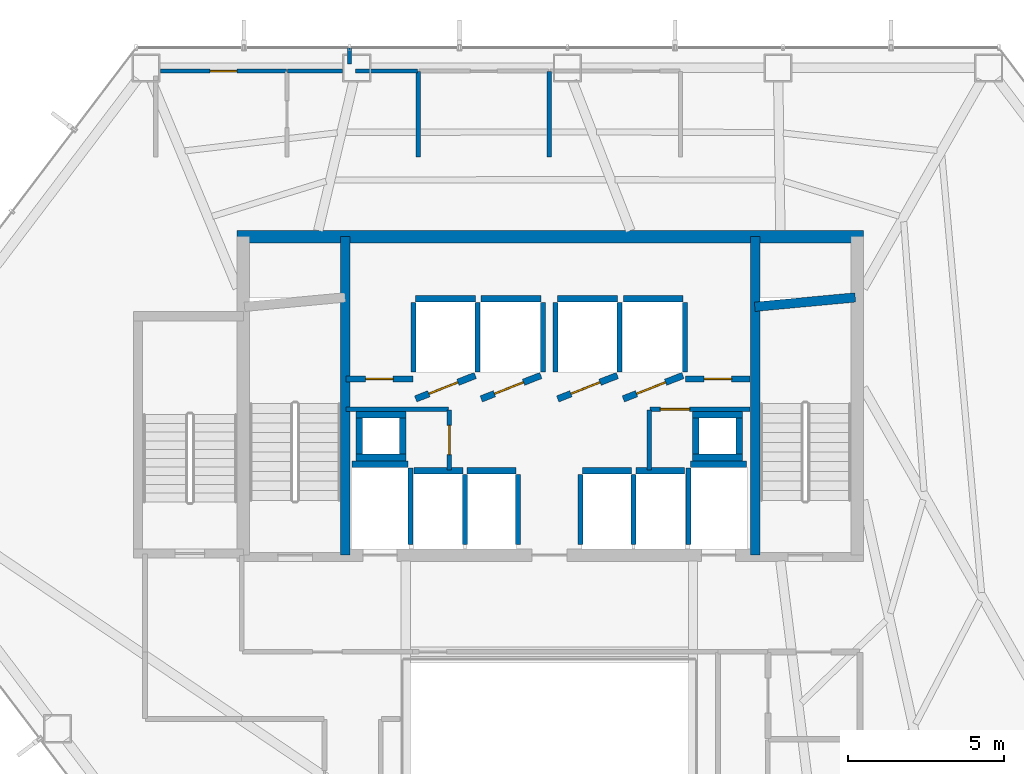
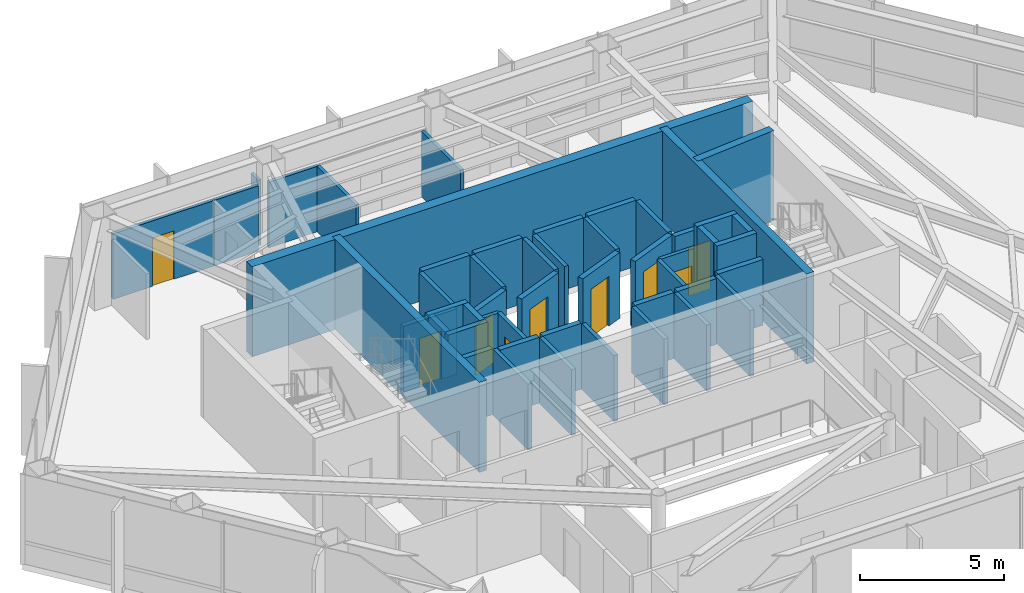
# One storey, part 22 of 24: 50 walls, 9 doors, 9 openings.
"""IFC4 building model written with IfcOpenShell, lengths in metres."""

from ifc_helpers import new_model, si_unit, direction, frame, frame_2d, origin, place, context, subcontext, project, spatial, rectangle, extrude, material, layer, layer_set, type_object, element, fill, save


model = new_model("IFC4")

# Units and contexts
model_context = context("Model", 3, precision=1e-05, world=origin(), true_north=direction((0.0, 1.0)))
body_context = subcontext(model_context, "Body", "Model", "MODEL_VIEW")
ifc_project = project(units=[si_unit("LENGTHUNIT", "METRE"), si_unit("AREAUNIT", "SQUARE_METRE"), si_unit("VOLUMEUNIT", "CUBIC_METRE"), si_unit("PLANEANGLEUNIT", "RADIAN"), si_unit("MASSUNIT", "GRAM", prefix="KILO")], contexts=[model_context])

# Site, building, storey
site_placement = place(None, origin())
site = spatial("IfcSite", under=ifc_project, at=site_placement, CompositionType="ELEMENT")
building_placement = place(site_placement, origin())
building = spatial("IfcBuilding", under=site, at=building_placement, Name="Zarrinselat Tower", CompositionType="ELEMENT")
storey_placement = place(building_placement, frame((0.0, 0.0, 96.89990234375)))
storey = spatial("IfcBuildingStorey", under=building, at=storey_placement, Name="L23", CompositionType="ELEMENT", Elevation=96.89990234375)

# Wall, opening, door
ifc_material_1 = material(Name="Fire-Rated Gypsum Board Partition", Category="gypsum")
ifc_layer_1 = layer(ifc_material_1, 0.14990234375)
ifc_layer_set_1 = layer_set([ifc_layer_1], Name="Fire-Rated Gypsum Board Partition")
wall_type_1 = type_object("IfcWallType", Name="WAL-PART-EI60", PredefinedType="PARTITIONING", material=ifc_layer_set_1)
wall_1_placement = place(storey_placement, frame((35.199951171875, 35.969970703125, 0.0), z_axis=(0.0, 0.0, 1.0), x_axis=(0.0, 1.0, 0.0)))
wall_1 = element("IfcWall", 1, at=wall_1_placement, inside=storey, type_object=wall_type_1, Name="L23 Partition Wall 1", PredefinedType="PARTITIONING", context=body_context, shape_type="SweptSolid", body=[
    extrude(rectangle(XDim=1.929931640625, YDim=0.14990234375, at=frame_2d((0.96484375, 0.0))), origin(), (0.0, 0.0, 1.0), 2.777099609375),
])
opening_1_placement = place(wall_1_placement, frame((0.4951171875, 0.0, 0.0)))
opening_1 = element("IfcOpeningElement", 2, at=opening_1_placement, cuts=wall_1, Name="Opening ID-04", PredefinedType="OPENING", context=body_context, shape_type="SweptSolid", body=[
    extrude(rectangle(XDim=0.93994140625, YDim=2.050048828125, at=frame_2d((0.469970703125, 1.02490234375))), frame((0.0, 0.0849609375, 0.0), z_axis=(0.0, -1.0, 0.0), x_axis=(1.0, 0.0, 0.0)), (0.0, 0.0, 1.0), 0.169921875),
])
ifc_material_2 = material(Name="Fire-Rated Gypsum Board Partition")
door_type_1 = type_object("IfcDoorType", Name="DR-INT-FD30-ENT", OperationType="NOTDEFINED", PredefinedType="DOOR", material=ifc_material_2)
door_1_placement = place(opening_1_placement, origin())
door_1 = element("IfcDoor", 3, at=door_1_placement, inside=storey, type_object=door_type_1, Name="L23 Interior Door P1", OperationType="SINGLE_SWING_RIGHT", OverallHeight=2.050048828125, OverallWidth=0.93994140625, PredefinedType="DOOR", context=body_context, shape_type="SweptSolid", body=[
    extrude(rectangle(XDim=0.93994140625, YDim=2.050048828125, at=frame_2d((0.469970703125, 1.02490234375))), frame((0.0, 0.02490234375, 0.0), z_axis=(0.0, -1.0, 0.0), x_axis=(1.0, 0.0, 0.0)), (0.0, 0.0, 1.0), 0.050048828125),
])
fill(opening_1, door_1)

# Wall
wall_2_placement = place(storey_placement, frame((31.885009765625, 37.919921875, 0.0), z_axis=(0.0, 0.0, 1.0), x_axis=(1.0, 0.0, 0.0)))
element("IfcWall", 4, at=wall_2_placement, inside=storey, type_object=wall_type_1, Name="L23 Partition Wall 2", PredefinedType="PARTITIONING", context=body_context, shape_type="SweptSolid", body=[
    extrude(rectangle(XDim=3.294921875, YDim=0.14990234375, at=frame_2d((1.6474609375, 0.0))), origin(), (0.0, 0.0, 1.0), 2.777099609375),
])

# Wall, opening, door
wall_3_placement = place(storey_placement, frame((41.6201171875, 37.919921875, 0.0), z_axis=(0.0, 0.0, 1.0), x_axis=(1.0, 0.0, 0.0)))
wall_3 = element("IfcWall", 5, at=wall_3_placement, inside=storey, type_object=wall_type_1, Name="L23 Partition Wall 5", PredefinedType="PARTITIONING", context=body_context, shape_type="SweptSolid", body=[
    extrude(rectangle(XDim=3.21484375, YDim=0.14990234375, at=frame_2d((1.607421875, 0.0))), origin(), (0.0, 0.0, 1.0), 2.777099609375),
])
opening_2_placement = place(wall_3_placement, frame((0.33740234375, 0.0, 0.0)))
opening_2 = element("IfcOpeningElement", 6, at=opening_2_placement, cuts=wall_3, Name="Opening ID-04", PredefinedType="OPENING", context=body_context, shape_type="SweptSolid", body=[
    extrude(rectangle(XDim=0.93994140625, YDim=2.050048828125, at=frame_2d((0.469970703125, 1.02490234375))), frame((0.0, 0.0849609375, 0.0), z_axis=(0.0, -1.0, 0.0), x_axis=(1.0, 0.0, 0.0)), (0.0, 0.0, 1.0), 0.169921875),
])
door_2_placement = place(opening_2_placement, origin())
door_2 = element("IfcDoor", 7, at=door_2_placement, inside=storey, type_object=door_type_1, Name="L23 Interior Door P5", OperationType="SINGLE_SWING_LEFT", OverallHeight=2.050048828125, OverallWidth=0.93994140625, PredefinedType="DOOR", context=body_context, shape_type="SweptSolid", body=[
    extrude(rectangle(XDim=0.93994140625, YDim=2.050048828125, at=frame_2d((0.469970703125, 1.02490234375))), frame((0.0, 0.02490234375, 0.0), z_axis=(0.0, -1.0, 0.0), x_axis=(1.0, 0.0, 0.0)), (0.0, 0.0, 1.0), 0.050048828125),
])
fill(opening_2, door_2)

# Wall
wall_4_placement = place(storey_placement, frame((41.60009765625, 35.969970703125, 0.0), z_axis=(0.0, 0.0, 1.0), x_axis=(0.0, 1.0, 0.0)))
element("IfcWall", 8, at=wall_4_placement, inside=storey, type_object=wall_type_1, Name="L23 Partition Wall 6", PredefinedType="PARTITIONING", context=body_context, shape_type="SweptSolid", body=[
    extrude(rectangle(XDim=1.929931640625, YDim=0.14990234375, at=frame_2d((0.96484375, 0.0))), origin(), (0.0, 0.0, 1.0), 2.777099609375),
])

# Wall, opening, door
ifc_material_3 = material(Name="Concrete C40/50", Category="concrete")
ifc_layer_2 = layer(ifc_material_3, 0.199951171875)
ifc_layer_set_2 = layer_set([ifc_layer_2], Name="Concrete C40/50")
wall_type_2 = type_object("IfcWallType", Name="WAL-PART-PLANT", PredefinedType="PARTITIONING", material=ifc_layer_set_2)
wall_5_placement = place(storey_placement, frame((31.885009765625, 38.889892578125, 0.0), z_axis=(0.0, 0.0, 1.0), x_axis=(1.0, 0.0, 0.0)))
wall_5 = element("IfcWall", 9, at=wall_5_placement, inside=storey, type_object=wall_type_2, Name="L23 Partition Wall 3", PredefinedType="PARTITIONING", context=body_context, shape_type="SweptSolid", body=[
    extrude(rectangle(XDim=2.14990234375, YDim=0.199951171875, at=frame_2d((1.074951171875, 0.0))), origin(), (0.0, 0.0, 1.0), 2.777099609375),
])
opening_3_placement = place(wall_5_placement, frame((0.635009765625, 0.0, 0.0)))
opening_3 = element("IfcOpeningElement", 10, at=opening_3_placement, cuts=wall_5, Name="Opening ID-03", PredefinedType="OPENING", context=body_context, shape_type="SweptSolid", body=[
    extrude(rectangle(XDim=0.8798828125, YDim=2.050048828125, at=frame_2d((0.43994140625, 1.02490234375))), frame((0.0, 0.10986328125, 0.0), z_axis=(0.0, -1.0, 0.0), x_axis=(1.0, 0.0, 0.0)), (0.0, 0.0, 1.0), 0.219970703125),
])
ifc_material_4 = material(Name="Steel S355J2", Category="steel")
door_type_2 = type_object("IfcDoorType", Name="DR-INT-FD60-S", OperationType="NOTDEFINED", PredefinedType="DOOR", material=ifc_material_4)
door_3_placement = place(opening_3_placement, origin())
door_3 = element("IfcDoor", 11, at=door_3_placement, inside=storey, type_object=door_type_2, Name="L23 Interior Door P3", OperationType="SINGLE_SWING_LEFT", OverallHeight=2.050048828125, OverallWidth=0.8798828125, PredefinedType="DOOR", context=body_context, shape_type="SweptSolid", body=[
    extrude(rectangle(XDim=0.8798828125, YDim=2.050048828125, at=frame_2d((0.43994140625, 1.02490234375))), frame((0.0, 0.02490234375, 0.0), z_axis=(0.0, -1.0, 0.0), x_axis=(1.0, 0.0, 0.0)), (0.0, 0.0, 1.0), 0.050048828125),
])
fill(opening_3, door_3)

wall_6_placement = place(storey_placement, frame((42.764892578125, 38.889892578125, 0.0), z_axis=(0.0, 0.0, 1.0), x_axis=(1.0, 0.0, 0.0)))
wall_6 = element("IfcWall", 12, at=wall_6_placement, inside=storey, type_object=wall_type_2, Name="L23 Partition Wall 4", PredefinedType="PARTITIONING", context=body_context, shape_type="SweptSolid", body=[
    extrude(rectangle(XDim=2.070068359375, YDim=0.199951171875, at=frame_2d((1.03515625, 0.0))), origin(), (0.0, 0.0, 1.0), 2.777099609375),
])
opening_4_placement = place(wall_6_placement, frame((0.594970703125, 0.0, 0.0)))
opening_4 = element("IfcOpeningElement", 13, at=opening_4_placement, cuts=wall_6, Name="Opening ID-03", PredefinedType="OPENING", context=body_context, shape_type="SweptSolid", body=[
    extrude(rectangle(XDim=0.8798828125, YDim=2.050048828125, at=frame_2d((0.43994140625, 1.02490234375))), frame((0.0, 0.10986328125, 0.0), z_axis=(0.0, -1.0, 0.0), x_axis=(1.0, 0.0, 0.0)), (0.0, 0.0, 1.0), 0.219970703125),
])
door_4_placement = place(opening_4_placement, origin())
door_4 = element("IfcDoor", 14, at=door_4_placement, inside=storey, type_object=door_type_2, Name="L23 Interior Door P4", OperationType="SINGLE_SWING_RIGHT", OverallHeight=2.050048828125, OverallWidth=0.8798828125, PredefinedType="DOOR", context=body_context, shape_type="SweptSolid", body=[
    extrude(rectangle(XDim=0.8798828125, YDim=2.050048828125, at=frame_2d((0.43994140625, 1.02490234375))), frame((0.0, 0.02490234375, 0.0), z_axis=(0.0, -1.0, 0.0), x_axis=(1.0, 0.0, 0.0)), (0.0, 0.0, 1.0), 0.050048828125),
])
fill(opening_4, door_4)

# Wall
ifc_material_5 = material(Name="Fire-Rated Gypsum Board Partition", Category="gypsum")
ifc_layer_3 = layer(ifc_material_5, 0.1201171875)
ifc_layer_set_3 = layer_set([ifc_layer_3], Name="Fire-Rated Gypsum Board Partition")
wall_type_3 = type_object("IfcWallType", Name="WAL-PART-STD", PredefinedType="PARTITIONING", material=ifc_layer_set_3)
wall_7_placement = place(storey_placement, frame((32.0, 48.9765625, 0.0), z_axis=(0.0, 0.0, 1.0), x_axis=(0.0, 1.0, 0.0)))
element("IfcWall", 15, at=wall_7_placement, inside=storey, type_object=wall_type_3, Name="L23 Partition Wall 45", PredefinedType="PARTITIONING", context=body_context, shape_type="SweptSolid", body=[
    extrude(rectangle(XDim=0.508544921875, YDim=0.1201171875, at=frame_2d((0.25439453125, 0.0))), origin(), (0.0, 0.0, 1.0), 2.777099609375),
])

# Wall, opening, door
ifc_material_6 = material(Name="Fire-Rated Gypsum Board Partition", Category="gypsum")
ifc_layer_4 = layer(ifc_material_6, 0.135009765625)
ifc_layer_set_4 = layer_set([ifc_layer_4], Name="Fire-Rated Gypsum Board Partition")
wall_type_4 = type_object("IfcWallType", Name="WAL-PART-WET", PredefinedType="PARTITIONING", material=ifc_layer_set_4)
wall_8_placement = place(storey_placement, frame((25.950927734375, 48.75, 0.0), z_axis=(0.0, 0.0, 1.0), x_axis=(1.0, 0.0, 0.0)))
wall_8 = element("IfcWall", 16, at=wall_8_placement, inside=storey, type_object=wall_type_4, Name="L23 Partition Wall 33", PredefinedType="PARTITIONING", context=body_context, shape_type="SweptSolid", body=[
    extrude(rectangle(XDim=4.029052734375, YDim=0.135009765625, at=frame_2d((2.0146484375, 0.0))), origin(), (0.0, 0.0, 1.0), 2.777099609375),
])
opening_5_placement = place(wall_8_placement, frame((1.58447265625, 0.0, 0.0)))
opening_5 = element("IfcOpeningElement", 17, at=opening_5_placement, cuts=wall_8, Name="Opening ID-06", PredefinedType="OPENING", context=body_context, shape_type="SweptSolid", body=[
    extrude(rectangle(XDim=0.860107421875, YDim=2.050048828125, at=frame_2d((0.43017578125, 1.02490234375))), frame((0.0, 0.077392578125, 0.0), z_axis=(0.0, -1.0, 0.0), x_axis=(1.0, 0.0, 0.0)), (0.0, 0.0, 1.0), 0.155029296875),
])
ifc_material_7 = material(Name="Extruded Aluminium Alloy EN AW-6063 T6", Category="aluminium")
door_type_3 = type_object("IfcDoorType", Name="DR-INT-WET-900", OperationType="NOTDEFINED", PredefinedType="DOOR", material=ifc_material_7)
door_5_placement = place(opening_5_placement, origin())
door_5 = element("IfcDoor", 18, at=door_5_placement, inside=storey, type_object=door_type_3, Name="L23 Interior Door P33", OperationType="SINGLE_SWING_LEFT", OverallHeight=2.050048828125, OverallWidth=0.860107421875, PredefinedType="DOOR", context=body_context, shape_type="SweptSolid", body=[
    extrude(rectangle(XDim=0.860107421875, YDim=2.050048828125, at=frame_2d((0.43017578125, 1.02490234375))), frame((0.0, 0.02490234375, 0.0), z_axis=(0.0, -1.0, 0.0), x_axis=(1.0, 0.0, 0.0)), (0.0, 0.0, 1.0), 0.050048828125),
])
fill(opening_5, door_5)

# Walls
wall_9_placement = place(storey_placement, frame((34.199951171875, 46.0, 0.0), z_axis=(0.0, 0.0, 1.0), x_axis=(0.0, 1.0, 0.0)))
element("IfcWall", 19, at=wall_9_placement, inside=storey, type_object=wall_type_4, Name="L23 Partition Wall 35", PredefinedType="PARTITIONING", context=body_context, shape_type="SweptSolid", body=[
    extrude(rectangle(XDim=2.72998046875, YDim=0.135009765625, at=frame_2d((1.364990234375, 0.0))), origin(), (0.0, 0.0, 1.0), 2.777099609375),
])
wall_10_placement = place(storey_placement, frame((30.02001953125, 48.75, 0.0), z_axis=(0.0, 0.0, 1.0), x_axis=(1.0, 0.0, 0.0)))
element("IfcWall", 20, at=wall_10_placement, inside=storey, type_object=wall_type_4, Name="L23 Partition Wall 36", PredefinedType="PARTITIONING", context=body_context, shape_type="SweptSolid", body=[
    extrude(rectangle(XDim=1.754638671875, YDim=0.135009765625, at=frame_2d((0.87744140625, 0.0))), origin(), (0.0, 0.0, 1.0), 2.777099609375),
])
wall_11_placement = place(storey_placement, frame((32.19775390625, 48.75, 0.0), z_axis=(0.0, 0.0, 1.0), x_axis=(1.0, 0.0, 0.0)))
element("IfcWall", 21, at=wall_11_placement, inside=storey, type_object=wall_type_4, Name="L23 Partition Wall 37", PredefinedType="PARTITIONING", context=body_context, shape_type="SweptSolid", body=[
    extrude(rectangle(XDim=1.982177734375, YDim=0.135009765625, at=frame_2d((0.9912109375, 0.0))), origin(), (0.0, 0.0, 1.0), 2.777099609375),
])
wall_12_placement = place(storey_placement, frame((38.39990234375, 46.0, 0.0), z_axis=(0.0, 0.0, 1.0), x_axis=(0.0, 1.0, 0.0)))
element("IfcWall", 22, at=wall_12_placement, inside=storey, type_object=wall_type_4, Name="L23 Partition Wall 38", PredefinedType="PARTITIONING", context=body_context, shape_type="SweptSolid", body=[
    extrude(rectangle(XDim=2.72998046875, YDim=0.135009765625, at=frame_2d((1.364990234375, 0.0))), origin(), (0.0, 0.0, 1.0), 2.777099609375),
])
ifc_material_8 = material(Name="Concrete C40/50", Category="concrete")
ifc_layer_5 = layer(ifc_material_8, 0.2099609375)
ifc_layer_set_5 = layer_set([ifc_layer_5], Name="Concrete C40/50")
wall_type_5 = type_object("IfcWallType", Name="WAL-SHAFT-210", PredefinedType="SOLIDWALL", material=ifc_layer_set_5)
wall_13_placement = place(storey_placement, frame((32.080078125, 36.155029296875, 0.0), z_axis=(0.0, 0.0, 1.0), x_axis=(1.0, 0.0, 0.0)))
element("IfcWall", 23, at=wall_13_placement, inside=storey, type_object=wall_type_5, Name="L23 Lift FFL1 North Shaft Wall", PredefinedType="SOLIDWALL", context=body_context, shape_type="SweptSolid", body=[
    extrude(rectangle(XDim=1.7998046875, YDim=0.2099609375, at=frame_2d((0.89990234375, 0.0))), origin(), (0.0, 0.0, 1.0), 2.7919921875),
])
wall_14_placement = place(storey_placement, frame((33.949951171875, 33.580078125, 0.0), z_axis=(0.0, 0.0, 1.0), x_axis=(0.0, 1.0, 0.0)))
element("IfcWall", 24, at=wall_14_placement, inside=storey, type_object=wall_type_5, Name="L23 Lift FFL1 E Shaft Wall", PredefinedType="SOLIDWALL", context=body_context, shape_type="SweptSolid", body=[
    extrude(rectangle(XDim=2.449951171875, YDim=0.159912109375, at=frame_2d((1.22509765625, 0.0))), origin(), (0.0, 0.0, 1.0), 2.7919921875),
])
wall_15_placement = place(storey_placement, frame((42.919921875, 36.155029296875, 0.0), z_axis=(0.0, 0.0, 1.0), x_axis=(1.0, 0.0, 0.0)))
element("IfcWall", 25, at=wall_15_placement, inside=storey, type_object=wall_type_5, Name="L23 Lift FFL2 North Shaft Wall", PredefinedType="SOLIDWALL", context=body_context, shape_type="SweptSolid", body=[
    extrude(rectangle(XDim=1.800048828125, YDim=0.2099609375, at=frame_2d((0.89990234375, 0.0))), origin(), (0.0, 0.0, 1.0), 2.7919921875),
])
wall_16_placement = place(storey_placement, frame((42.85009765625, 33.580078125, 0.0), z_axis=(0.0, 0.0, 1.0), x_axis=(0.0, 1.0, 0.0)))
element("IfcWall", 26, at=wall_16_placement, inside=storey, type_object=wall_type_5, Name="L23 Lift FFL2 W Shaft Wall", PredefinedType="SOLIDWALL", context=body_context, shape_type="SweptSolid", body=[
    extrude(rectangle(XDim=2.449951171875, YDim=0.159912109375, at=frame_2d((1.22509765625, 0.0))), origin(), (0.0, 0.0, 1.0), 2.7919921875),
])

# Wall, opening, door
wall_17_placement = place(storey_placement, frame((34.1201171875, 38.25, 0.0), z_axis=(0.0, 0.0, 1.0), x_axis=(0.930804993012, 0.36551616241, 0.0)))
wall_17 = element("IfcWall", 27, at=wall_17_placement, inside=storey, type_object=wall_type_5, Name="L23 Lift PL1 Front Shaft Wall", PredefinedType="SOLIDWALL", context=body_context, shape_type="SweptSolid", body=[
    extrude(rectangle(XDim=2.052001953125, YDim=0.2099609375, at=frame_2d((1.02587890625, 0.0))), origin(), (0.0, 0.0, 1.0), 2.7919921875),
])
opening_6_placement = place(wall_17_placement, frame((0.455078125, 0.0, 0.0)))
opening_6 = element("IfcOpeningElement", 28, at=opening_6_placement, cuts=wall_17, Name="Opening LD-PL1", PredefinedType="OPENING", context=body_context, shape_type="SweptSolid", body=[
    extrude(rectangle(XDim=1.0, YDim=2.10009765625, at=frame_2d((0.5, 1.050048828125))), frame((0.0, 0.114990234375, 0.0), z_axis=(0.0, -1.0, 0.0), x_axis=(1.0, 0.0, 0.0)), (0.0, 0.0, 1.0), 0.22998046875),
])
ifc_material_9 = material(Name="Steel S355J2", Category="steel")
door_type_4 = type_object("IfcDoorType", Name="DR-LIFT-PS-1000", OperationType="NOTDEFINED", PredefinedType="DOOR", material=ifc_material_9)
door_6_placement = place(opening_6_placement, origin())
door_6 = element("IfcDoor", 29, at=door_6_placement, inside=storey, type_object=door_type_4, Name="L23 Lift PL1 Sliding Landing Door", OperationType="SLIDING_TO_LEFT", OverallHeight=2.10009765625, OverallWidth=1.0, PredefinedType="DOOR", context=body_context, shape_type="SweptSolid", body=[
    extrude(rectangle(XDim=1.0, YDim=2.10009765625, at=frame_2d((0.5, 1.050048828125))), frame((0.0, 0.02490234375, 0.0), z_axis=(0.0, -1.0, 0.0), x_axis=(1.0, 0.0, 0.0)), (0.0, 0.0, 1.0), 0.050048828125),
])
fill(opening_6, door_6)

# Walls
wall_18_placement = place(storey_placement, frame((34.1201171875, 41.455078125, 0.0), z_axis=(0.0, 0.0, 1.0), x_axis=(1.0, 0.0, 0.0)))
element("IfcWall", 30, at=wall_18_placement, inside=storey, type_object=wall_type_5, Name="L23 Lift PL1 Rear Shaft Wall", PredefinedType="SOLIDWALL", context=body_context, shape_type="SweptSolid", body=[
    extrude(rectangle(XDim=1.909912109375, YDim=0.2099609375, at=frame_2d((0.955078125, 0.0))), origin(), (0.0, 0.0, 1.0), 2.7919921875),
])
for number, where, z_axis, x_axis, name in (
    (31, (34.050048828125, 39.1201171875, 0.0), (0.0, 0.0, 1.0), (0.0, 1.0, 0.0), "L23 Lift PL1 W Shaft Wall"),
    (32, (36.10009765625, 39.1201171875, 0.0), (0.0, 0.0, 1.0), (0.0, 1.0, 0.0), "L23 Lift PL1 E Shaft Wall"),
):
    element("IfcWall", number, at=place(storey_placement, frame(where, z_axis=z_axis, x_axis=x_axis)), inside=storey, type_object=wall_type_5, Name=name, PredefinedType="SOLIDWALL", context=body_context, shape_type="SweptSolid", body=[
        extrude(rectangle(XDim=2.2099609375, YDim=0.159912109375, at=frame_2d((1.10498046875, 0.0))), origin(), (0.0, 0.0, 1.0), 2.7919921875),
    ])

# Wall, opening, door
wall_19_placement = place(storey_placement, frame((36.219970703125, 38.25, 0.0), z_axis=(0.0, 0.0, 1.0), x_axis=(0.930804993012, 0.36551616241, 0.0)))
wall_19 = element("IfcWall", 33, at=wall_19_placement, inside=storey, type_object=wall_type_5, Name="L23 Lift PL2 Front Shaft Wall", PredefinedType="SOLIDWALL", context=body_context, shape_type="SweptSolid", body=[
    extrude(rectangle(XDim=2.052001953125, YDim=0.2099609375, at=frame_2d((1.02587890625, 0.0))), origin(), (0.0, 0.0, 1.0), 2.7919921875),
])
opening_7_placement = place(wall_19_placement, frame((0.455078125, 0.0, 0.0)))
opening_7 = element("IfcOpeningElement", 34, at=opening_7_placement, cuts=wall_19, Name="Opening LD-PL2", PredefinedType="OPENING", context=body_context, shape_type="SweptSolid", body=[
    extrude(rectangle(XDim=1.0, YDim=2.10009765625, at=frame_2d((0.5, 1.050048828125))), frame((0.0, 0.114990234375, 0.0), z_axis=(0.0, -1.0, 0.0), x_axis=(1.0, 0.0, 0.0)), (0.0, 0.0, 1.0), 0.22998046875),
])
door_7_placement = place(opening_7_placement, origin())
door_7 = element("IfcDoor", 35, at=door_7_placement, inside=storey, type_object=door_type_4, Name="L23 Lift PL2 Sliding Landing Door", OperationType="SLIDING_TO_RIGHT", OverallHeight=2.10009765625, OverallWidth=1.0, PredefinedType="DOOR", context=body_context, shape_type="SweptSolid", body=[
    extrude(rectangle(XDim=1.0, YDim=2.10009765625, at=frame_2d((0.5, 1.050048828125))), frame((0.0, 0.02490234375, 0.0), z_axis=(0.0, -1.0, 0.0), x_axis=(1.0, 0.0, 0.0)), (0.0, 0.0, 1.0), 0.050048828125),
])
fill(opening_7, door_7)

# Walls
wall_20_placement = place(storey_placement, frame((36.219970703125, 41.455078125, 0.0), z_axis=(0.0, 0.0, 1.0), x_axis=(1.0, 0.0, 0.0)))
element("IfcWall", 36, at=wall_20_placement, inside=storey, type_object=wall_type_5, Name="L23 Lift PL2 Rear Shaft Wall", PredefinedType="SOLIDWALL", context=body_context, shape_type="SweptSolid", body=[
    extrude(rectangle(XDim=1.909912109375, YDim=0.2099609375, at=frame_2d((0.955078125, 0.0))), origin(), (0.0, 0.0, 1.0), 2.7919921875),
])
wall_21_placement = place(storey_placement, frame((38.199951171875, 39.1201171875, 0.0), z_axis=(0.0, 0.0, 1.0), x_axis=(0.0, 1.0, 0.0)))
element("IfcWall", 37, at=wall_21_placement, inside=storey, type_object=wall_type_5, Name="L23 Lift PL2 E Shaft Wall", PredefinedType="SOLIDWALL", context=body_context, shape_type="SweptSolid", body=[
    extrude(rectangle(XDim=2.2099609375, YDim=0.159912109375, at=frame_2d((1.10498046875, 0.0))), origin(), (0.0, 0.0, 1.0), 2.7919921875),
])

# Wall, opening, door
wall_22_placement = place(storey_placement, frame((38.669921875, 38.25, 0.0), z_axis=(0.0, 0.0, 1.0), x_axis=(0.930820886763, 0.3654756856, 0.0)))
wall_22 = element("IfcWall", 38, at=wall_22_placement, inside=storey, type_object=wall_type_5, Name="L23 Lift PL3 Front Shaft Wall", PredefinedType="SOLIDWALL", context=body_context, shape_type="SweptSolid", body=[
    extrude(rectangle(XDim=2.052001953125, YDim=0.2099609375, at=frame_2d((1.02587890625, 0.0))), origin(), (0.0, 0.0, 1.0), 2.7919921875),
])
opening_8_placement = place(wall_22_placement, frame((0.455078125, 0.0, 0.0)))
opening_8 = element("IfcOpeningElement", 39, at=opening_8_placement, cuts=wall_22, Name="Opening LD-PL3", PredefinedType="OPENING", context=body_context, shape_type="SweptSolid", body=[
    extrude(rectangle(XDim=1.0, YDim=2.10009765625, at=frame_2d((0.5, 1.050048828125))), frame((0.0, 0.114990234375, 0.0), z_axis=(0.0, -1.0, 0.0), x_axis=(1.0, 0.0, 0.0)), (0.0, 0.0, 1.0), 0.22998046875),
])
door_8_placement = place(opening_8_placement, origin())
door_8 = element("IfcDoor", 40, at=door_8_placement, inside=storey, type_object=door_type_4, Name="L23 Lift PL3 Sliding Landing Door", OperationType="SLIDING_TO_LEFT", OverallHeight=2.10009765625, OverallWidth=1.0, PredefinedType="DOOR", context=body_context, shape_type="SweptSolid", body=[
    extrude(rectangle(XDim=1.0, YDim=2.10009765625, at=frame_2d((0.5, 1.050048828125))), frame((0.0, 0.02490234375, 0.0), z_axis=(0.0, -1.0, 0.0), x_axis=(1.0, 0.0, 0.0)), (0.0, 0.0, 1.0), 0.050048828125),
])
fill(opening_8, door_8)

# Walls
wall_23_placement = place(storey_placement, frame((38.669921875, 41.455078125, 0.0), z_axis=(0.0, 0.0, 1.0), x_axis=(1.0, 0.0, 0.0)))
element("IfcWall", 41, at=wall_23_placement, inside=storey, type_object=wall_type_5, Name="L23 Lift PL3 Rear Shaft Wall", PredefinedType="SOLIDWALL", context=body_context, shape_type="SweptSolid", body=[
    extrude(rectangle(XDim=1.91015625, YDim=0.2099609375, at=frame_2d((0.955078125, 0.0))), origin(), (0.0, 0.0, 1.0), 2.7919921875),
])
for number, where, z_axis, x_axis, name in (
    (42, (38.60009765625, 39.1201171875, 0.0), (0.0, 0.0, 1.0), (0.0, 1.0, 0.0), "L23 Lift PL3 W Shaft Wall"),
    (43, (40.64990234375, 39.1201171875, 0.0), (0.0, 0.0, 1.0), (0.0, 1.0, 0.0), "L23 Lift PL3 E Shaft Wall"),
):
    element("IfcWall", number, at=place(storey_placement, frame(where, z_axis=z_axis, x_axis=x_axis)), inside=storey, type_object=wall_type_5, Name=name, PredefinedType="SOLIDWALL", context=body_context, shape_type="SweptSolid", body=[
        extrude(rectangle(XDim=2.2099609375, YDim=0.159912109375, at=frame_2d((1.10498046875, 0.0))), origin(), (0.0, 0.0, 1.0), 2.7919921875),
    ])

# Wall, opening, door
wall_24_placement = place(storey_placement, frame((40.77001953125, 38.25, 0.0), z_axis=(0.0, 0.0, 1.0), x_axis=(0.930804993012, 0.36551616241, 0.0)))
wall_24 = element("IfcWall", 44, at=wall_24_placement, inside=storey, type_object=wall_type_5, Name="L23 Lift PL4 Front Shaft Wall", PredefinedType="SOLIDWALL", context=body_context, shape_type="SweptSolid", body=[
    extrude(rectangle(XDim=2.052001953125, YDim=0.2099609375, at=frame_2d((1.02587890625, 0.0))), origin(), (0.0, 0.0, 1.0), 2.7919921875),
])
opening_9_placement = place(wall_24_placement, frame((0.455078125, 0.0, 0.0)))
opening_9 = element("IfcOpeningElement", 45, at=opening_9_placement, cuts=wall_24, Name="Opening LD-PL4", PredefinedType="OPENING", context=body_context, shape_type="SweptSolid", body=[
    extrude(rectangle(XDim=1.0, YDim=2.10009765625, at=frame_2d((0.5, 1.050048828125))), frame((0.0, 0.114990234375, 0.0), z_axis=(0.0, -1.0, 0.0), x_axis=(1.0, 0.0, 0.0)), (0.0, 0.0, 1.0), 0.22998046875),
])
door_9_placement = place(opening_9_placement, origin())
door_9 = element("IfcDoor", 46, at=door_9_placement, inside=storey, type_object=door_type_4, Name="L23 Lift PL4 Sliding Landing Door", OperationType="SLIDING_TO_RIGHT", OverallHeight=2.10009765625, OverallWidth=1.0, PredefinedType="DOOR", context=body_context, shape_type="SweptSolid", body=[
    extrude(rectangle(XDim=1.0, YDim=2.10009765625, at=frame_2d((0.5, 1.050048828125))), frame((0.0, 0.02490234375, 0.0), z_axis=(0.0, -1.0, 0.0), x_axis=(1.0, 0.0, 0.0)), (0.0, 0.0, 1.0), 0.050048828125),
])
fill(opening_9, door_9)

# Walls
wall_25_placement = place(storey_placement, frame((40.77001953125, 41.455078125, 0.0), z_axis=(0.0, 0.0, 1.0), x_axis=(1.0, 0.0, 0.0)))
element("IfcWall", 47, at=wall_25_placement, inside=storey, type_object=wall_type_5, Name="L23 Lift PL4 Rear Shaft Wall", PredefinedType="SOLIDWALL", context=body_context, shape_type="SweptSolid", body=[
    extrude(rectangle(XDim=1.909912109375, YDim=0.2099609375, at=frame_2d((0.955078125, 0.0))), origin(), (0.0, 0.0, 1.0), 2.7919921875),
])
wall_26_placement = place(storey_placement, frame((42.75, 39.1201171875, 0.0), z_axis=(0.0, 0.0, 1.0), x_axis=(0.0, 1.0, 0.0)))
element("IfcWall", 48, at=wall_26_placement, inside=storey, type_object=wall_type_5, Name="L23 Lift PL4 E Shaft Wall", PredefinedType="SOLIDWALL", context=body_context, shape_type="SweptSolid", body=[
    extrude(rectangle(XDim=2.2099609375, YDim=0.159912109375, at=frame_2d((1.10498046875, 0.0))), origin(), (0.0, 0.0, 1.0), 2.7919921875),
])
wall_27_placement = place(storey_placement, frame((34.070068359375, 35.955078125, 0.0), z_axis=(0.0, 0.0, 1.0), x_axis=(1.0, 0.0, 0.0)))
element("IfcWall", 49, at=wall_27_placement, inside=storey, type_object=wall_type_5, Name="L23 Lift PL5 North Shaft Wall", PredefinedType="SOLIDWALL", context=body_context, shape_type="SweptSolid", body=[
    extrude(rectangle(XDim=1.559814453125, YDim=0.2099609375, at=frame_2d((0.77978515625, 0.0))), origin(), (0.0, 0.0, 1.0), 2.7919921875),
])
wall_28_placement = place(storey_placement, frame((35.699951171875, 33.580078125, 0.0), z_axis=(0.0, 0.0, 1.0), x_axis=(0.0, 1.0, 0.0)))
element("IfcWall", 50, at=wall_28_placement, inside=storey, type_object=wall_type_5, Name="L23 Lift PL5 E Shaft Wall", PredefinedType="SOLIDWALL", context=body_context, shape_type="SweptSolid", body=[
    extrude(rectangle(XDim=2.25, YDim=0.159912109375, at=frame_2d((1.125, 0.0))), origin(), (0.0, 0.0, 1.0), 2.7919921875),
])
wall_29_placement = place(storey_placement, frame((35.77001953125, 35.955078125, 0.0), z_axis=(0.0, 0.0, 1.0), x_axis=(1.0, 0.0, 0.0)))
element("IfcWall", 51, at=wall_29_placement, inside=storey, type_object=wall_type_5, Name="L23 Lift PL6 North Shaft Wall", PredefinedType="SOLIDWALL", context=body_context, shape_type="SweptSolid", body=[
    extrude(rectangle(XDim=1.56005859375, YDim=0.2099609375, at=frame_2d((0.780029296875, 0.0))), origin(), (0.0, 0.0, 1.0), 2.7919921875),
])
wall_30_placement = place(storey_placement, frame((37.39990234375, 33.580078125, 0.0), z_axis=(0.0, 0.0, 1.0), x_axis=(0.0, 1.0, 0.0)))
element("IfcWall", 52, at=wall_30_placement, inside=storey, type_object=wall_type_5, Name="L23 Lift PL6 E Shaft Wall", PredefinedType="SOLIDWALL", context=body_context, shape_type="SweptSolid", body=[
    extrude(rectangle(XDim=2.25, YDim=0.159912109375, at=frame_2d((1.125, 0.0))), origin(), (0.0, 0.0, 1.0), 2.7919921875),
])
wall_31_placement = place(storey_placement, frame((39.469970703125, 35.955078125, 0.0), z_axis=(0.0, 0.0, 1.0), x_axis=(1.0, 0.0, 0.0)))
element("IfcWall", 53, at=wall_31_placement, inside=storey, type_object=wall_type_5, Name="L23 Lift PL8 North Shaft Wall", PredefinedType="SOLIDWALL", context=body_context, shape_type="SweptSolid", body=[
    extrude(rectangle(XDim=1.56005859375, YDim=0.2099609375, at=frame_2d((0.780029296875, 0.0))), origin(), (0.0, 0.0, 1.0), 2.7919921875),
])
for number, where, z_axis, x_axis, name in (
    (54, (39.39990234375, 33.580078125, 0.0), (0.0, 0.0, 1.0), (0.0, 1.0, 0.0), "L23 Lift PL8 W Shaft Wall"),
    (55, (41.10009765625, 33.580078125, 0.0), (0.0, 0.0, 1.0), (0.0, 1.0, 0.0), "L23 Lift PL8 E Shaft Wall"),
):
    element("IfcWall", number, at=place(storey_placement, frame(where, z_axis=z_axis, x_axis=x_axis)), inside=storey, type_object=wall_type_5, Name=name, PredefinedType="SOLIDWALL", context=body_context, shape_type="SweptSolid", body=[
        extrude(rectangle(XDim=2.25, YDim=0.159912109375, at=frame_2d((1.125, 0.0))), origin(), (0.0, 0.0, 1.0), 2.7919921875),
    ])
wall_32_placement = place(storey_placement, frame((41.169921875, 35.955078125, 0.0), z_axis=(0.0, 0.0, 1.0), x_axis=(1.0, 0.0, 0.0)))
element("IfcWall", 56, at=wall_32_placement, inside=storey, type_object=wall_type_5, Name="L23 Lift PL9 North Shaft Wall", PredefinedType="SOLIDWALL", context=body_context, shape_type="SweptSolid", body=[
    extrude(rectangle(XDim=1.56005859375, YDim=0.2099609375, at=frame_2d((0.780029296875, 0.0))), origin(), (0.0, 0.0, 1.0), 2.7919921875),
])
for number, where, z_axis, x_axis, name in (
    (57, (32.2099609375, 36.375, 0.0), (0.0, 0.0, 1.0), (1.0, 0.0, 0.0), "L23 Core Riser RSR-W S Shaft Wall"),
    (58, (32.2099609375, 37.7451171875, 0.0), (0.0, 0.0, 1.0), (1.0, 0.0, 0.0), "L23 Core Riser RSR-W N Shaft Wall"),
):
    element("IfcWall", number, at=place(storey_placement, frame(where, z_axis=z_axis, x_axis=x_axis)), inside=storey, type_object=wall_type_5, Name=name, PredefinedType="SOLIDWALL", context=body_context, shape_type="SweptSolid", body=[
        extrude(rectangle(XDim=1.60009765625, YDim=0.2099609375, at=frame_2d((0.800048828125, 0.0))), origin(), (0.0, 0.0, 1.0), 3.820068359375),
    ])
for number, where, z_axis, x_axis, name in (
    (59, (32.31494140625, 36.485107421875, 0.0), (0.0, 0.0, 1.0), (0.0, 1.0, 0.0), "L23 Core Riser RSR-W W Shaft Wall"),
    (60, (33.705078125, 36.485107421875, 0.0), (0.0, 0.0, 1.0), (0.0, 1.0, 0.0), "L23 Core Riser RSR-W E Shaft Wall"),
):
    element("IfcWall", number, at=place(storey_placement, frame(where, z_axis=z_axis, x_axis=x_axis)), inside=storey, type_object=wall_type_5, Name=name, PredefinedType="SOLIDWALL", context=body_context, shape_type="SweptSolid", body=[
        extrude(rectangle(XDim=1.14990234375, YDim=0.2099609375, at=frame_2d((0.574951171875, 0.0))), origin(), (0.0, 0.0, 1.0), 3.820068359375),
    ])
for number, where, z_axis, x_axis, name in (
    (61, (42.989990234375, 36.375, 0.0), (0.0, 0.0, 1.0), (1.0, 0.0, 0.0), "L23 Core Riser RSR-E S Shaft Wall"),
    (62, (42.989990234375, 37.7451171875, 0.0), (0.0, 0.0, 1.0), (1.0, 0.0, 0.0), "L23 Core Riser RSR-E N Shaft Wall"),
):
    element("IfcWall", number, at=place(storey_placement, frame(where, z_axis=z_axis, x_axis=x_axis)), inside=storey, type_object=wall_type_5, Name=name, PredefinedType="SOLIDWALL", context=body_context, shape_type="SweptSolid", body=[
        extrude(rectangle(XDim=1.60009765625, YDim=0.2099609375, at=frame_2d((0.800048828125, 0.0))), origin(), (0.0, 0.0, 1.0), 3.820068359375),
    ])
for number, where, z_axis, x_axis, name in (
    (63, (43.094970703125, 36.485107421875, 0.0), (0.0, 0.0, 1.0), (0.0, 1.0, 0.0), "L23 Core Riser RSR-E W Shaft Wall"),
    (64, (44.485107421875, 36.485107421875, 0.0), (0.0, 0.0, 1.0), (0.0, 1.0, 0.0), "L23 Core Riser RSR-E E Shaft Wall"),
):
    element("IfcWall", number, at=place(storey_placement, frame(where, z_axis=z_axis, x_axis=x_axis)), inside=storey, type_object=wall_type_5, Name=name, PredefinedType="SOLIDWALL", context=body_context, shape_type="SweptSolid", body=[
        extrude(rectangle(XDim=1.14990234375, YDim=0.2099609375, at=frame_2d((0.574951171875, 0.0))), origin(), (0.0, 0.0, 1.0), 3.820068359375),
    ])
ifc_material_10 = material(Name="Concrete C40/50", Category="concrete")
ifc_layer_6 = layer(ifc_material_10, 0.300048828125)
ifc_layer_set_6 = layer_set([ifc_layer_6], Name="Concrete C40/50")
wall_type_6 = type_object("IfcWallType", Name="WAL-SHEAR-300", PredefinedType="SHEAR", material=ifc_layer_set_6)
for number, where, z_axis, x_axis, name in (
    (65, (31.8701171875, 33.25, 0.0), (0.0, 0.0, 1.0), (0.0, 1.0, 0.0), "L23 Core Shear Wall ST1E"),
    (66, (44.989990234375, 33.25, 0.0), (0.0, 0.0, 1.0), (0.0, 1.0, 0.0), "L23 Core Shear Wall ST2W"),
):
    element("IfcWall", number, at=place(storey_placement, frame(where, z_axis=z_axis, x_axis=x_axis)), inside=storey, type_object=wall_type_6, Name=name, PredefinedType="SHEAR", context=body_context, shape_type="SweptSolid", body=[
        extrude(rectangle(XDim=10.199951171875, YDim=0.300048828125, at=frame_2d((5.10009765625, 0.0))), origin(), (0.0, 0.0, 1.0), 3.820068359375),
    ])
wall_33_placement = place(storey_placement, frame((44.97998046875, 41.199951171875, 0.0), z_axis=(0.0, 0.0, 1.0), x_axis=(0.995686468965, 0.09278176286, 0.0)))
element("IfcWall", 67, at=wall_33_placement, inside=storey, type_object=wall_type_6, Name="L23 Stair 2 North Shaft Wall", PredefinedType="SHEAR", context=body_context, shape_type="SweptSolid", body=[
    extrude(rectangle(XDim=3.23388671875, YDim=0.300048828125, at=frame_2d((1.616943359375, 0.0))), origin(), (0.0, 0.0, 1.0), 3.820068359375),
])
ifc_material_11 = material(Name="Concrete C60/75", Category="concrete")
ifc_layer_7 = layer(ifc_material_11, 0.39990234375)
ifc_layer_set_7 = layer_set([ifc_layer_7], Name="Concrete C60/75")
wall_type_7 = type_object("IfcWallType", Name="WAL-SHEAR-400", PredefinedType="SHEAR", material=ifc_layer_set_7)
wall_34_placement = place(storey_placement, frame((28.39990234375, 43.449951171875, 0.0), z_axis=(0.0, 0.0, 1.0), x_axis=(1.0, 0.0, 0.0)))
element("IfcWall", 68, at=wall_34_placement, inside=storey, type_object=wall_type_7, Name="L23 North Core Shear Wall", PredefinedType="SHEAR", context=body_context, shape_type="SweptSolid", body=[
    extrude(rectangle(XDim=20.06005859375, YDim=0.39990234375, at=frame_2d((10.030029296875, 0.0))), origin(), (0.0, 0.0, 1.0), 3.820068359375),
])

save(model, "model.ifc")
